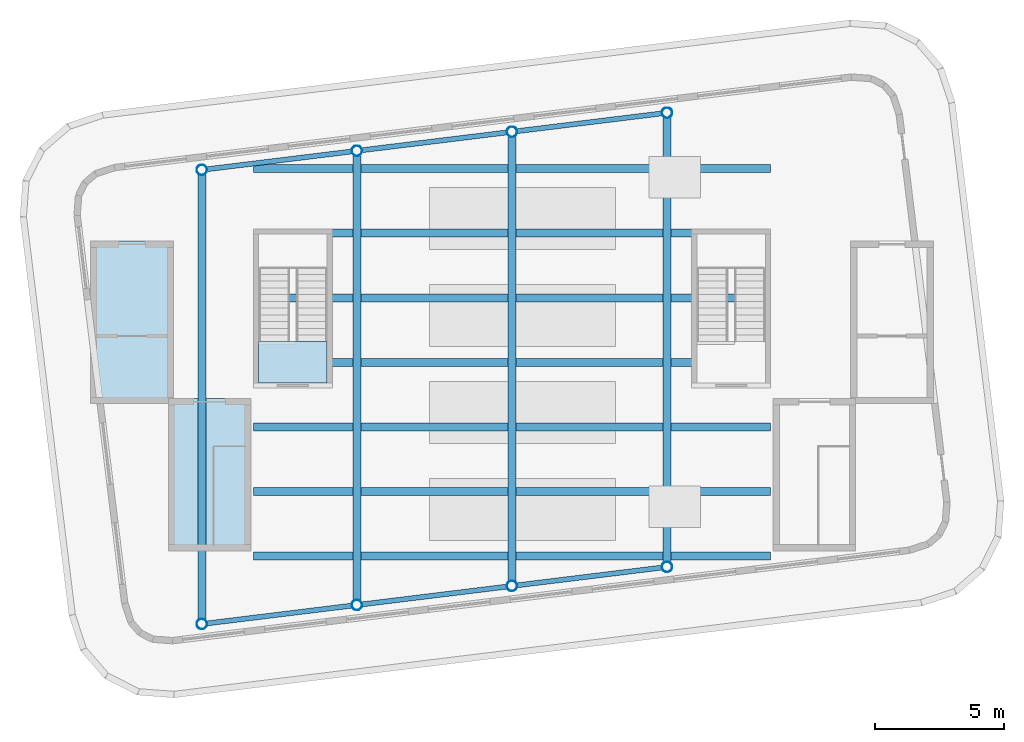
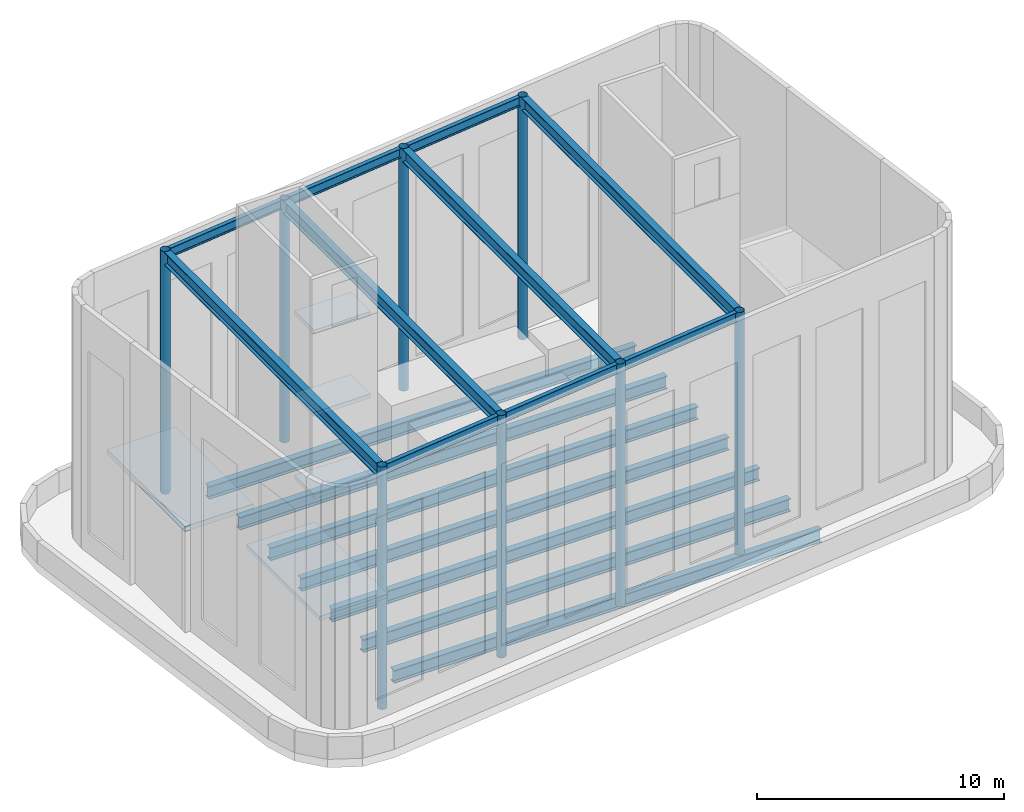
# One storey, part 1 of 7: 17 beams, 8 columns, 5 slabs, 1 element without a shape of its own.
"""IFC4 building model written with IfcOpenShell, lengths in metres."""

from ifc_helpers import new_model, si_unit, direction, frame, origin, origin_2d, place, context, subcontext, project, spatial, polyline, hollow_circle, i_section, outline, extrude, material, layer, layer_set, material_profile, profile_set, type_object, element, aggregate, save


model = new_model("IFC4")

# Units and contexts
model_context = context("Model", 3, precision=1e-05, world=origin(), true_north=direction((0.0, 1.0)))
body_context = subcontext(model_context, "Body", "Model", "MODEL_VIEW")
ifc_project = project(units=[si_unit("LENGTHUNIT", "METRE"), si_unit("AREAUNIT", "SQUARE_METRE"), si_unit("VOLUMEUNIT", "CUBIC_METRE"), si_unit("PLANEANGLEUNIT", "RADIAN"), si_unit("MASSUNIT", "GRAM", prefix="KILO")], contexts=[model_context])

# Site, building, storey
site_placement = place(None, origin())
site = spatial("IfcSite", under=ifc_project, at=site_placement, CompositionType="ELEMENT")
building_placement = place(site_placement, origin())
building = spatial("IfcBuilding", under=site, at=building_placement, Name="Torana Hotel and Residences", CompositionType="ELEMENT")
storey_placement = place(building_placement, frame((0.0, 0.0, 363.39990234375)))
storey = spatial("IfcBuildingStorey", under=building, at=storey_placement, Name="RF", CompositionType="ELEMENT", Elevation=363.39990234375)

# Columns
ifc_material_1 = material(Name="Steel S355", Category="steel")
ifc_material_profile_1 = material_profile(ifc_material_1, hollow_circle(Radius=0.203125, WallThickness=0.012451171875, at=origin_2d()), Name="406.4x12.5 CHS")
ifc_profile_set_1 = profile_set([ifc_material_profile_1], Name="Steel S355")
column_type = type_object("IfcColumnType", Name="STEEL FRAME COLUMN 406.4x12.5 CHS", PredefinedType="COLUMN", material=ifc_profile_set_1)
for number, where, z_axis, x_axis, name in (
    (1, (-12.0, -17.625, 0.0), (0.0, 0.0, 1.0), (1.0, 0.0, 0.0), "Enclosure frame column"),
    (2, (-6.0, -16.88818359375, 0.0), (0.0, 0.0, 1.0), (1.0, 0.0, 0.0), "Enclosure frame column"),
    (3, (0.0, -16.151611328125, 0.0), (0.0, 0.0, 1.0), (1.0, 0.0, 0.0), "Enclosure frame column"),
    (4, (6.0, -15.414794921875, 0.0), (0.0, 0.0, 1.0), (1.0, 0.0, 0.0), "Enclosure frame column"),
    (5, (-12.0, -0.0517578125, 0.0), (0.0, 0.0, 1.0), (1.0, 0.0, 0.0), "Enclosure frame column"),
    (6, (-6.0, 0.684814453125, 0.0), (0.0, 0.0, 1.0), (1.0, 0.0, 0.0), "Enclosure frame column"),
    (7, (0.0, 1.42138671875, 0.0), (0.0, 0.0, 1.0), (1.0, 0.0, 0.0), "Enclosure frame column"),
    (8, (6.0, 2.158203125, 0.0), (0.0, 0.0, 1.0), (1.0, 0.0, 0.0), "Enclosure frame column"),
):
    element("IfcColumn", number, at=place(storey_placement, frame(where, z_axis=z_axis, x_axis=x_axis)), inside=storey, type_object=column_type, Name=name, PredefinedType="COLUMN", context=body_context, shape_type="SweptSolid", body=[
        extrude(hollow_circle(Radius=0.203125, WallThickness=0.012451171875, at=origin_2d()), origin(), (0.0, 0.0, 1.0), 12.0),
    ])

# Beams
ifc_material_2 = material(Name="Steel S355", Category="steel")
ifc_material_profile_2 = material_profile(ifc_material_2, i_section(OverallWidth=0.311279296875, OverallDepth=0.6357421875, WebThickness=0.018310546875, FlangeThickness=0.031494140625, FilletRadius=0.0166015625, at=origin_2d()), Name="610x305x238 UB")
ifc_profile_set_2 = profile_set([ifc_material_profile_2], Name="Steel S355")
beam_type_1 = type_object("IfcBeamType", Name="ENCLOSURE CROSS BEAM 610x305x238 UB", PredefinedType="BEAM", material=ifc_profile_set_2)
beam_1_placement = place(storey_placement, frame((-12.0, -17.431640625, 11.68212890625), z_axis=(0.0, 1.0, 0.0), x_axis=(-1.0, 0.0, 0.0)))
element("IfcBeam", 9, at=beam_1_placement, inside=storey, type_object=beam_type_1, Name="Enclosure cross beam", PredefinedType="BEAM", context=body_context, shape_type="SweptSolid", body=[
    extrude(i_section(OverallWidth=0.311279296875, OverallDepth=0.6357421875, WebThickness=0.018310546875, FlangeThickness=0.031494140625, FilletRadius=0.0166015625, at=origin_2d()), origin(), (0.0, 0.0, 1.0), 17.1865234375),
])
beam_2_placement = place(storey_placement, frame((-6.0, -16.695068359375, 11.68212890625), z_axis=(0.0, 1.0, 0.0), x_axis=(-1.0, 0.0, 0.0)))
element("IfcBeam", 10, at=beam_2_placement, inside=storey, type_object=beam_type_1, Name="Enclosure cross beam", PredefinedType="BEAM", context=body_context, shape_type="SweptSolid", body=[
    extrude(i_section(OverallWidth=0.311279296875, OverallDepth=0.6357421875, WebThickness=0.018310546875, FlangeThickness=0.031494140625, FilletRadius=0.0166015625, at=origin_2d()), origin(), (0.0, 0.0, 1.0), 17.186767578125),
])
beam_3_placement = place(storey_placement, frame((0.0, -15.958251953125, 11.68212890625), z_axis=(0.0, 1.0, 0.0), x_axis=(-1.0, 0.0, 0.0)))
element("IfcBeam", 11, at=beam_3_placement, inside=storey, type_object=beam_type_1, Name="Enclosure cross beam", PredefinedType="BEAM", context=body_context, shape_type="SweptSolid", body=[
    extrude(i_section(OverallWidth=0.311279296875, OverallDepth=0.6357421875, WebThickness=0.018310546875, FlangeThickness=0.031494140625, FilletRadius=0.0166015625, at=origin_2d()), origin(), (0.0, 0.0, 1.0), 17.1865234375),
])
beam_4_placement = place(storey_placement, frame((6.0, -15.2216796875, 11.68212890625), z_axis=(0.0, 1.0, 0.0), x_axis=(-1.0, 0.0, 0.0)))
element("IfcBeam", 12, at=beam_4_placement, inside=storey, type_object=beam_type_1, Name="Enclosure cross beam", PredefinedType="BEAM", context=body_context, shape_type="SweptSolid", body=[
    extrude(i_section(OverallWidth=0.311279296875, OverallDepth=0.6357421875, WebThickness=0.018310546875, FlangeThickness=0.031494140625, FilletRadius=0.0166015625, at=origin_2d()), origin(), (0.0, 0.0, 1.0), 17.186767578125),
])
ifc_material_3 = material(Name="Steel S355", Category="steel")
ifc_material_profile_3 = material_profile(ifc_material_3, i_section(OverallWidth=0.19287109375, OverallDepth=0.46728515625, WebThickness=0.011474609375, FlangeThickness=0.01953125, FilletRadius=0.01025390625, at=origin_2d()), Name="457x191x98 UB")
ifc_profile_set_3 = profile_set([ifc_material_profile_3], Name="Steel S355")
beam_type_2 = type_object("IfcBeamType", Name="ENCLOSURE RING BEAM 457x191x98 UB", PredefinedType="BEAM", material=ifc_profile_set_3)
for number, where, z_axis, x_axis, name in (
    (13, (-11.80810546875, -17.601318359375, 11.7666015625), (0.99254373001, 0.121889064392, 0.0), (-0.121889064392, 0.99254373001, 0.0), "Enclosure ring beam"),
    (14, (-5.80810546875, -16.86474609375, 11.7666015625), (0.99254373001, 0.121889064392, 0.0), (-0.121889064392, 0.99254373001, 0.0), "Enclosure ring beam"),
    (15, (0.19189453125, -16.1279296875, 11.7666015625), (0.992548949009, 0.121846558512, 0.0), (-0.121846558512, 0.992548949009, 0.0), "Enclosure ring beam"),
    (16, (-11.80810546875, -0.0283203125, 11.7666015625), (0.99254373001, 0.121889064392, 0.0), (-0.121889064392, 0.99254373001, 0.0), "Enclosure ring beam"),
    (17, (-5.80810546875, 0.70849609375, 11.7666015625), (0.992548949009, 0.121846558512, 0.0), (-0.121846558512, 0.992548949009, 0.0), "Enclosure ring beam"),
    (18, (0.19189453125, 1.445068359375, 11.7666015625), (0.99254373001, 0.121889064392, 0.0), (-0.121889064392, 0.99254373001, 0.0), "Enclosure ring beam"),
):
    element("IfcBeam", number, at=place(storey_placement, frame(where, z_axis=z_axis, x_axis=x_axis)), inside=storey, type_object=beam_type_2, Name=name, PredefinedType="BEAM", context=body_context, shape_type="SweptSolid", body=[
        extrude(i_section(OverallWidth=0.19287109375, OverallDepth=0.46728515625, WebThickness=0.011474609375, FlangeThickness=0.01953125, FilletRadius=0.01025390625, at=origin_2d()), origin(), (0.0, 0.0, 1.0), 5.658447265625),
    ])
ifc_material_4 = material(Name="Steel S355", Category="steel")
ifc_material_profile_4 = material_profile(ifc_material_4, i_section(OverallWidth=0.311279296875, OverallDepth=0.6357421875, WebThickness=0.018310546875, FlangeThickness=0.031494140625, FilletRadius=0.0166015625, at=origin_2d()), Name="610x305x238 UB")
ifc_profile_set_4 = profile_set([ifc_material_profile_4], Name="Steel S355")
beam_type_3 = type_object("IfcBeamType", Name="STEEL GIRDER 610x305x238 UB", PredefinedType="BEAM", material=ifc_profile_set_4)
for number, where, z_axis, x_axis, name in (
    (19, (-10.0, -15.0, -0.727783203125), (1.0, 0.0, 0.0), (0.0, 1.0, 0.0), "Floor girder"),
    (20, (-10.0, -12.5, -0.727783203125), (1.0, 0.0, 0.0), (0.0, 1.0, 0.0), "Floor girder"),
    (21, (-10.0, -10.0, -0.727783203125), (1.0, 0.0, 0.0), (0.0, 1.0, 0.0), "Floor girder"),
    (22, (-10.0, -7.5, -0.727783203125), (1.0, 0.0, 0.0), (0.0, 1.0, 0.0), "Floor girder"),
    (23, (-10.0, -5.0, -0.727783203125), (1.0, 0.0, 0.0), (0.0, 1.0, 0.0), "Floor girder"),
    (24, (-10.0, -2.5, -0.727783203125), (1.0, 0.0, 0.0), (0.0, 1.0, 0.0), "Floor girder"),
    (25, (-10.0, 0.0, -0.727783203125), (1.0, 0.0, 0.0), (0.0, 1.0, 0.0), "Floor girder"),
):
    element("IfcBeam", number, at=place(storey_placement, frame(where, z_axis=z_axis, x_axis=x_axis)), inside=storey, type_object=beam_type_3, Name=name, PredefinedType="BEAM", context=body_context, shape_type="SweptSolid", body=[
        extrude(i_section(OverallWidth=0.311279296875, OverallDepth=0.6357421875, WebThickness=0.018310546875, FlangeThickness=0.031494140625, FilletRadius=0.0166015625, at=origin_2d()), origin(), (0.0, 0.0, 1.0), 20.0),
    ])

# Slabs
ifc_material_5 = material(Name="Concrete C40/50", Category="concrete")
ifc_layer_1 = layer(ifc_material_5, 0.199951171875)
ifc_layer_set_1 = layer_set([ifc_layer_1], Name="HEAD-HOUSE ROOF SLAB 200")
slab_type_1 = type_object("IfcSlabType", Name="HEAD-HOUSE ROOF SLAB 200", PredefinedType="ROOF", material=ifc_layer_set_1)
slab_1_placement = place(storey_placement, frame((0.0, 0.0, 3.0)))
element("IfcSlab", 26, at=slab_1_placement, inside=storey, type_object=slab_type_1, Name="Stair head-house roof ST1", PredefinedType="ROOF", context=body_context, shape_type="SweptSolid", body=[
    extrude(outline(polyline([(-13.300048828125, -14.800048828125), (-10.10009765625, -14.800048828125), (-10.10009765625, -8.89990234375), (-13.300048828125, -8.89990234375), (-13.300048828125, -14.800048828125)])), origin(), (0.0, 0.0, 1.0), 0.2001953125),
])
ifc_material_6 = material(Name="Concrete C40/50", Category="concrete")
ifc_layer_2 = layer(ifc_material_6, 0.25)
ifc_layer_set_2 = layer_set([ifc_layer_2], Name="LIFT PENTHOUSE ROOF SLAB 250")
slab_type_2 = type_object("IfcSlabType", Name="LIFT PENTHOUSE ROOF SLAB 250", PredefinedType="ROOF", material=ifc_layer_set_2)
slab_2_placement = place(storey_placement, frame((0.0, 0.0, 5.0)))
element("IfcSlab", 27, at=slab_2_placement, inside=storey, type_object=slab_type_2, Name="Lift penthouse roof W", PredefinedType="ROOF", context=body_context, shape_type="SweptSolid", body=[
    extrude(outline(polyline([(-16.300048828125, -9.10009765625), (-13.10009765625, -9.10009765625), (-13.10009765625, -2.800048828125), (-16.300048828125, -2.800048828125), (-16.300048828125, -9.10009765625)])), origin(), (0.0, 0.0, 1.0), 0.25),
])

# Stair, slabs
ifc_material_7 = material(Name="Concrete C40/50 precast", Category="concrete")
stair_type = type_object("IfcStairType", Name="STAIR ST6 HALF TURN 1200", PredefinedType="HALF_TURN_STAIR", material=ifc_material_7)
stair_placement = place(storey_placement, origin())
stair = element("IfcStair", 28, at=stair_placement, inside=storey, type_object=stair_type, Name="Stair ST6 to the plant roof", PredefinedType="HALF_TURN_STAIR")
ifc_material_8 = material(Name="Concrete C40/50 precast", Category="concrete")
ifc_layer_3 = layer(ifc_material_8, 0.199951171875)
ifc_layer_set_3 = layer_set([ifc_layer_3], Name="STAIR LANDING 200")
slab_type_3 = type_object("IfcSlabType", Name="STAIR LANDING 200", PredefinedType="LANDING", material=ifc_layer_set_3)
slab_3_placement = place(storey_placement, frame((0.0, 0.0, 3.86669921875)))
slab_3 = element("IfcSlab", 29, at=slab_3_placement, type_object=slab_type_3, Name="ST6 landing 3", PredefinedType="LANDING", context=body_context, shape_type="SweptSolid", body=[
    extrude(outline(polyline([(-9.800048828125, -8.300048828125), (-7.14990234375, -8.300048828125), (-7.14990234375, -6.699951171875), (-9.800048828125, -6.699951171875), (-9.800048828125, -8.300048828125)])), origin(), (0.0, 0.0, 1.0), 0.2001953125),
])
slab_4_placement = place(storey_placement, frame((0.0, 0.0, 7.933349609375)))
slab_4 = element("IfcSlab", 30, at=slab_4_placement, type_object=slab_type_3, Name="ST6 landing 5", PredefinedType="LANDING", context=body_context, shape_type="SweptSolid", body=[
    extrude(outline(polyline([(-9.800048828125, -8.300048828125), (-7.14990234375, -8.300048828125), (-7.14990234375, -6.699951171875), (-9.800048828125, -6.699951171875), (-9.800048828125, -8.300048828125)])), origin(), (0.0, 0.0, 1.0), 0.199951171875),
])
slab_5_placement = place(storey_placement, frame((0.0, 0.0, 12.0)))
slab_5 = element("IfcSlab", 31, at=slab_5_placement, type_object=slab_type_3, Name="ST6 landing 6", PredefinedType="LANDING", context=body_context, shape_type="SweptSolid", body=[
    extrude(outline(polyline([(-9.800048828125, -8.300048828125), (-7.14990234375, -8.300048828125), (-7.14990234375, -6.699951171875), (-9.800048828125, -6.699951171875), (-9.800048828125, -8.300048828125)])), origin(), (0.0, 0.0, 1.0), 0.2001953125),
])
aggregate(stair, [slab_3, slab_4, slab_5])

save(model, "model.ifc")
